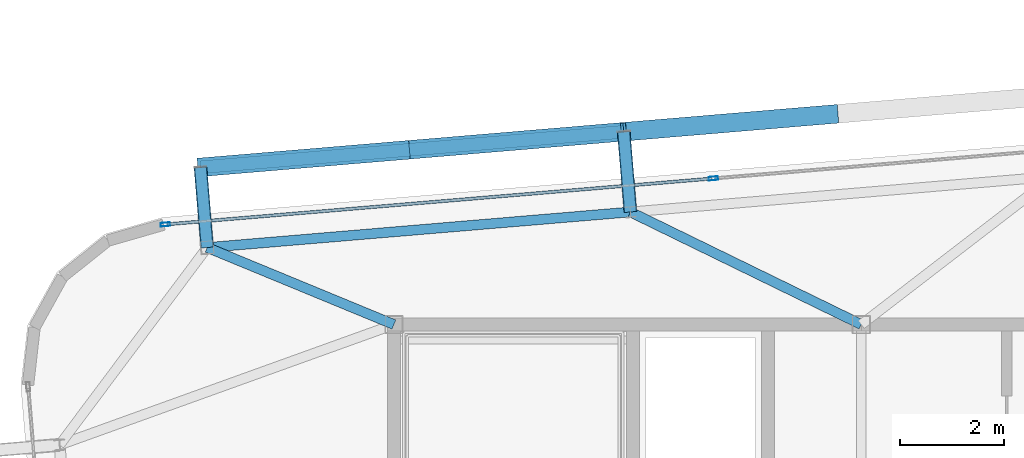
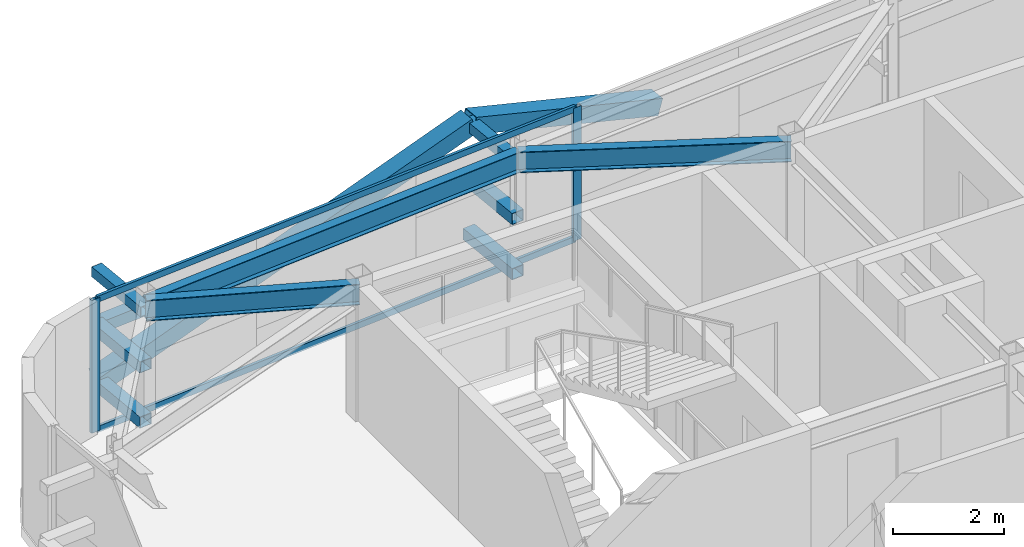
# One storey, part 21 of 39: 14 members, 3 beams, 1 element without a shape of its own.
"""IFC4 building model written with IfcOpenShell, lengths in metres."""

from ifc_helpers import new_model, si_unit, direction, frame, origin, origin_2d, place, context, subcontext, project, spatial, hollow_rectangle, i_section, extrude, source, transform, mapped, material, layer, layer_set, material_profile, profile_set, type_object, element, aggregate, save


model = new_model("IFC4")

# Units and contexts
model_context = context("Model", 3, precision=1e-05, world=origin(), true_north=direction((0.0, 1.0)))
body_context = subcontext(model_context, "Body", "Model", "MODEL_VIEW")
ifc_project = project(units=[si_unit("LENGTHUNIT", "METRE"), si_unit("AREAUNIT", "SQUARE_METRE"), si_unit("VOLUMEUNIT", "CUBIC_METRE"), si_unit("PLANEANGLEUNIT", "RADIAN"), si_unit("MASSUNIT", "GRAM", prefix="KILO")], contexts=[model_context])

# Site, building, storey
site_placement = place(None, origin())
site = spatial("IfcSite", under=ifc_project, at=site_placement, CompositionType="ELEMENT")
building_placement = place(site_placement, origin())
building = spatial("IfcBuilding", under=site, at=building_placement, Name="Taldren Reach Tower", CompositionType="ELEMENT")
storey_placement = place(building_placement, frame((0.0, 0.0, 197.75)))
storey = spatial("IfcBuildingStorey", under=building, at=storey_placement, Name="L60", CompositionType="ELEMENT", Elevation=197.75)

# Members
ifc_material_1 = material(Name="Steel Gr 350 (C350L0)", Category="steel")
ifc_material_profile_1 = material_profile(ifc_material_1, hollow_rectangle(XDim=0.25, YDim=0.25, WallThickness=0.010009765625, at=origin_2d()), Name="250x250x10.0SHS")
ifc_profile_set_1 = profile_set([ifc_material_profile_1], Name="Steel Gr 350 (C350L0)")
member_type_1 = type_object("IfcMemberType", Name="MB-POST250", PredefinedType="POST", material=ifc_profile_set_1)
shared_shape_1 = source(origin(), body_context, "Body", "SweptSolid", [
    extrude(hollow_rectangle(XDim=0.25, YDim=0.25, WallThickness=0.010009765625, at=origin_2d()), origin(), (0.0, 0.0, 1.0), 1.5498046875),
])
for number, where, z_axis, x_axis, name in (
    (1, (15.40380859375, 33.483642578125, 0.219970703125), (-0.083645141657, 0.996495604746, 0.0), (-0.996495604746, -0.083645141657, 0.0), "Exoskeleton base diaphragm tie strut B4-N1 L60"),
    (2, (15.40380859375, 33.483642578125, 1.43505859375), (-0.083645141657, 0.996495604746, 0.0), (-0.996495604746, -0.083645141657, 0.0), "Exoskeleton mid-tier diaphragm tie B4-N1 L60"),
):
    element("IfcMember", number, at=place(storey_placement, frame(where, z_axis=z_axis, x_axis=x_axis)), inside=storey, type_object=member_type_1, Name=name, PredefinedType="POST", context=body_context, shape_type="MappedRepresentation", body=[
        mapped(shared_shape_1, transform((0.0, 0.0, 0.0), scale=1.0)),
    ])
shared_shape_2 = source(origin(), body_context, "Body", "SweptSolid", [
    extrude(hollow_rectangle(XDim=0.25, YDim=0.25, WallThickness=0.010009765625, at=origin_2d()), origin(), (0.0, 0.0, 1.0), 1.550048828125),
])
for number, where, z_axis, x_axis, name in (
    (3, (23.55517578125, 34.16796875, 0.219970703125), (-0.083788408178, 0.996483568683, 0.0), (-0.996483568683, -0.083788408178, 0.0), "Exoskeleton base diaphragm tie strut B4-N2 L60"),
    (4, (23.55517578125, 34.16796875, 1.43505859375), (-0.083788408178, 0.996483568683, 0.0), (-0.996483568683, -0.083788408178, 0.0), "Exoskeleton mid-tier diaphragm tie B4-N2 L60"),
):
    element("IfcMember", number, at=place(storey_placement, frame(where, z_axis=z_axis, x_axis=x_axis)), inside=storey, type_object=member_type_1, Name=name, PredefinedType="POST", context=body_context, shape_type="MappedRepresentation", body=[
        mapped(shared_shape_2, transform((0.0, 0.0, 0.0), scale=1.0)),
    ])

# Beams
ifc_material_2 = material(Name="Steel Gr 350 (350PLUS)", Category="steel")
ifc_material_profile_2 = material_profile(ifc_material_2, i_section(OverallWidth=0.18994140625, OverallDepth=0.4541015625, WebThickness=0.008544921875, FlangeThickness=0.0126953125, at=origin_2d()), Name="460UB67.1")
ifc_profile_set_2 = profile_set([ifc_material_profile_2], Name="Steel Gr 350 (350PLUS)")
beam_type_1 = type_object("IfcBeamType", Name="SP-UB460B", PredefinedType="SPANDREL", material=ifc_profile_set_2)
shared_shape_3 = source(origin(), body_context, "Body", "SweptSolid", [
    extrude(i_section(OverallWidth=0.18994140625, OverallDepth=0.4541015625, WebThickness=0.008544921875, FlangeThickness=0.0126953125, at=origin_2d()), origin(), (0.0, 0.0, 1.0), 8.179931640625),
])
beam_1_placement = place(storey_placement, frame((23.55517578125, 34.16796875, 2.702880859375), z_axis=(-0.996494523218, -0.083658025296, 0.0), x_axis=(0.083658025296, -0.996494523218, 0.0)))
element("IfcBeam", 5, at=beam_1_placement, inside=storey, type_object=beam_type_1, Name="Perimeter spandrel B4 N2-N1 L60", PredefinedType="SPANDREL", context=body_context, shape_type="MappedRepresentation", body=[
    mapped(shared_shape_3, transform((0.0, 0.0, 0.0), scale=1.0)),
])
ifc_material_profile_3 = material_profile(ifc_material_2, i_section(OverallWidth=0.19091796875, OverallDepth=0.4599609375, WebThickness=0.010009765625, FlangeThickness=0.01611328125, at=origin_2d()), Name="460UB82.1")
ifc_profile_set_3 = profile_set([ifc_material_profile_3], Name="Steel Gr 350 (350PLUS)")
beam_type_2 = type_object("IfcBeamType", Name="BM-UB460A", PredefinedType="BEAM", material=ifc_profile_set_3)
shared_shape_4 = source(origin(), body_context, "Body", "SweptSolid", [
    extrude(i_section(OverallWidth=0.19091796875, OverallDepth=0.4599609375, WebThickness=0.010009765625, FlangeThickness=0.01611328125, at=origin_2d()), origin(), (0.0, 0.0, 1.0), 4.9453125),
])
beam_2_placement = place(storey_placement, frame((28.0, 32.0, 2.699951171875), z_axis=(-0.898787423235, 0.438384725823, 0.0), x_axis=(-0.438384725823, -0.898787423235, 0.0)))
element("IfcBeam", 6, at=beam_2_placement, inside=storey, type_object=beam_type_2, Name="Primary floor girder B4-N2 L60", PredefinedType="BEAM", context=body_context, shape_type="MappedRepresentation", body=[
    mapped(shared_shape_4, transform((0.0, 0.0, 0.0), scale=1.0)),
])
shared_shape_5 = source(origin(), body_context, "Body", "SweptSolid", [
    extrude(i_section(OverallWidth=0.19091796875, OverallDepth=0.4599609375, WebThickness=0.010009765625, FlangeThickness=0.01611328125, at=origin_2d()), origin(), (0.0, 0.0, 1.0), 3.89013671875),
])
beam_3_placement = place(storey_placement, frame((19.0, 32.0, 2.699951171875), z_axis=(-0.924419242179, 0.381377850287, 0.0), x_axis=(-0.381377850287, -0.924419242179, 0.0)))
element("IfcBeam", 7, at=beam_3_placement, inside=storey, type_object=beam_type_2, Name="Primary floor girder B4-N1 L60", PredefinedType="BEAM", context=body_context, shape_type="MappedRepresentation", body=[
    mapped(shared_shape_5, transform((0.0, 0.0, 0.0), scale=1.0)),
])

# Members
ifc_material_3 = material(Name="Steel Gr 450 (C450L0)", Category="steel")
ifc_material_profile_4 = material_profile(ifc_material_3, hollow_rectangle(XDim=0.219970703125, YDim=0.219970703125, WallThickness=0.00830078125, at=origin_2d()), Name="220x220x8.2SHS")
ifc_profile_set_4 = profile_set([ifc_material_profile_4], Name="Steel Gr 450 (C450L0)")
member_type_2 = type_object("IfcMemberType", Name="MB-TIE219", PredefinedType="STRUT", material=ifc_profile_set_4)
shared_shape_6 = source(origin(), body_context, "Body", "SweptSolid", [
    extrude(hollow_rectangle(XDim=0.219970703125, YDim=0.219970703125, WallThickness=0.00830078125, at=origin_2d()), origin(), (0.0, 0.0, 1.0), 1.5498046875),
])
member_1_placement = place(storey_placement, frame((15.40380859375, 33.483642578125, 2.64990234375), z_axis=(-0.083645141657, 0.996495604746, 0.0), x_axis=(-0.996495604746, -0.083645141657, 0.0)))
element("IfcMember", 8, at=member_1_placement, inside=storey, type_object=member_type_2, Name="Exoskeleton diaphragm tie strut B4-N1 L60", PredefinedType="STRUT", context=body_context, shape_type="MappedRepresentation", body=[
    mapped(shared_shape_6, transform((0.0, 0.0, 0.0), scale=1.0)),
])
shared_shape_7 = source(origin(), body_context, "Body", "SweptSolid", [
    extrude(hollow_rectangle(XDim=0.219970703125, YDim=0.219970703125, WallThickness=0.00830078125, at=origin_2d()), origin(), (0.0, 0.0, 1.0), 1.550048828125),
])
member_2_placement = place(storey_placement, frame((23.55517578125, 34.16796875, 2.64990234375), z_axis=(-0.083788408178, 0.996483568683, 0.0), x_axis=(-0.996483568683, -0.083788408178, 0.0)))
element("IfcMember", 9, at=member_2_placement, inside=storey, type_object=member_type_2, Name="Exoskeleton diaphragm tie strut B4-N2 L60", PredefinedType="STRUT", context=body_context, shape_type="MappedRepresentation", body=[
    mapped(shared_shape_7, transform((0.0, 0.0, 0.0), scale=1.0)),
])
shared_shape_8 = source(origin(), body_context, "Body", "SweptSolid", [
    extrude(hollow_rectangle(XDim=0.25, YDim=0.25, WallThickness=0.010009765625, at=origin_2d()), origin(), (0.0, 0.0, 1.0), 8.179931640625),
])
member_3_placement = place(storey_placement, frame((15.274169921875, 35.028076171875, 1.43505859375), z_axis=(0.99649182565, 0.08369015123, 0.0), x_axis=(-0.08369015123, 0.99649182565, 0.0)))
element("IfcMember", 10, at=member_3_placement, inside=storey, type_object=member_type_1, Name="Exoskeleton mid-height ring chord B4-N1 L60", PredefinedType="POST", context=body_context, shape_type="MappedRepresentation", body=[
    mapped(shared_shape_8, transform((0.0, 0.0, 0.0), scale=1.0)),
])
ifc_material_profile_5 = material_profile(ifc_material_3, hollow_rectangle(XDim=0.360107421875, YDim=0.360107421875, WallThickness=0.0126953125, at=origin_2d()), Name="360x360x12.7SHS")
ifc_profile_set_5 = profile_set([ifc_material_profile_5], Name="Steel Gr 450 (C450L0)")
member_type_3 = type_object("IfcMemberType", Name="MB-EXO356", PredefinedType="BRACE", material=ifc_profile_set_5)
shared_shape_9 = source(origin(), body_context, "Body", "SweptSolid", [
    extrude(hollow_rectangle(XDim=0.360107421875, YDim=0.360107421875, WallThickness=0.0126953125, at=origin_2d()), origin(), (0.0, 0.0, 1.0), 4.2666015625),
])
for number, where, z_axis, x_axis, name in (
    (11, (15.274169921875, 35.028076171875, 0.219970703125), (0.955229159097, 0.080222312271, 0.284783486572), (-0.083687662192, 0.996492034688, 0.0), "Exoskeleton Diagrid Brace B4-N1 L60"),
    (12, (27.5009765625, 36.054931640625, 1.43505859375), (-0.955244723646, -0.080223619417, 0.284730906006), (0.083687662192, -0.996492034688, 0.0), "Exoskeleton Diagrid Brace B4-N2 L60"),
):
    element("IfcMember", number, at=place(storey_placement, frame(where, z_axis=z_axis, x_axis=x_axis)), inside=storey, type_object=member_type_3, Name=name, PredefinedType="BRACE", context=body_context, shape_type="MappedRepresentation", body=[
        mapped(shared_shape_9, transform((0.0, 0.0, 0.0), scale=1.0)),
    ])
shared_shape_10 = source(origin(), body_context, "Body", "SweptSolid", [
    extrude(hollow_rectangle(XDim=0.360107421875, YDim=0.360107421875, WallThickness=0.0126953125, at=origin_2d()), origin(), (0.0, 0.0, 1.0), 4.266357421875),
])
member_4_placement = place(storey_placement, frame((19.349853515625, 35.370361328125, 1.43505859375), z_axis=(0.955239715981, 0.080228004661, 0.28474647018), x_axis=(-0.083692640416, 0.996491616593, 0.0)))
element("IfcMember", 13, at=member_4_placement, inside=storey, type_object=member_type_3, Name="Exoskeleton Diagrid Brace B4-N1 L60", PredefinedType="BRACE", context=body_context, shape_type="MappedRepresentation", body=[
    mapped(shared_shape_10, transform((0.0, 0.0, 0.0), scale=1.0)),
])

# Curtain wall, members
ifc_material_4 = material(Name="Aluminium and Low-E Glass Unitised System", Category="aluminium")
ifc_layer = layer(ifc_material_4, 0.159912109375)
ifc_layer_set = layer_set([ifc_layer], Name="Aluminium and Low-E Glass Unitised System")
curtain_wall_type = type_object("IfcCurtainWallType", Name="CW-SYS-5", PredefinedType="NOTDEFINED", material=ifc_layer_set)
curtain_wall_placement = place(storey_placement, origin())
curtain_wall = element("IfcCurtainWall", 14, at=curtain_wall_placement, inside=storey, type_object=curtain_wall_type, Name="Unitised curtain wall CW-L60-N", PredefinedType="NOTDEFINED")
ifc_material_5 = material(Name="Anodised Aluminium 6063-T6", Category="aluminium")
ifc_material_profile_6 = material_profile(ifc_material_5, hollow_rectangle(XDim=0.070068359375, YDim=0.179931640625, WallThickness=0.00390625, at=origin_2d()), Name="ALU-180x70x4RHS")
ifc_profile_set_6 = profile_set([ifc_material_profile_6], Name="Anodised Aluminium 6063-T6")
member_type_4 = type_object("IfcMemberType", Name="CW-MUL-180", PredefinedType="MULLION", material=ifc_profile_set_6)
shared_shape_11 = source(origin(), body_context, "Body", "SweptSolid", [
    extrude(hollow_rectangle(XDim=0.070068359375, YDim=0.179931640625, WallThickness=0.00390625, at=origin_2d()), origin(), (0.0, 0.0, 1.0), 2.929931640625),
])
member_5_placement = place(storey_placement, frame((25.151611328125, 34.81396484375, 0.0), z_axis=(0.0, 0.0, 1.0), x_axis=(0.083677875247, -0.99649285657, 0.0)))
member_5 = element("IfcMember", 15, at=member_5_placement, type_object=member_type_4, Name="CW-5 mullion 4", PredefinedType="MULLION", context=body_context, shape_type="MappedRepresentation", body=[
    mapped(shared_shape_11, transform((0.0, 0.0, 0.0), scale=1.0)),
])
member_6_placement = place(storey_placement, frame((14.598876953125, 33.927734375, 0.0), z_axis=(0.0, 0.0, 1.0), x_axis=(0.083677875247, -0.99649285657, 0.0)))
member_6 = element("IfcMember", 16, at=member_6_placement, type_object=member_type_4, Name="CW-5 mullion 5", PredefinedType="MULLION", context=body_context, shape_type="MappedRepresentation", body=[
    mapped(shared_shape_11, transform((0.0, 0.0, 0.0), scale=1.0)),
])
ifc_material_profile_7 = material_profile(ifc_material_5, hollow_rectangle(XDim=0.06005859375, YDim=0.135009765625, WallThickness=0.00341796875, at=origin_2d()), Name="ALU-135x60x3.5RHS")
ifc_profile_set_7 = profile_set([ifc_material_profile_7], Name="Anodised Aluminium 6063-T6")
member_type_5 = type_object("IfcMemberType", Name="CW-TRN-150", PredefinedType="USERDEFINED", material=ifc_profile_set_7)
shared_shape_12 = source(origin(), body_context, "Body", "SweptSolid", [
    extrude(hollow_rectangle(XDim=0.06005859375, YDim=0.135009765625, WallThickness=0.00341796875, at=origin_2d()), origin(), (0.0, 0.0, 1.0), 10.519775390625),
])
member_7_placement = place(storey_placement, frame((25.11669921875, 34.81103515625, 0.030029296875), z_axis=(-0.996492094046, -0.083686955404, 0.0), x_axis=(0.083686955404, -0.996492094046, 0.0)))
member_7 = element("IfcMember", 17, at=member_7_placement, type_object=member_type_5, Name="CW-5 transom 4.1", ObjectType="TRANSOM", PredefinedType="USERDEFINED", context=body_context, shape_type="MappedRepresentation", body=[
    mapped(shared_shape_12, transform((0.0, 0.0, 0.0), scale=1.0)),
])
member_8_placement = place(storey_placement, frame((25.11669921875, 34.81103515625, 2.89990234375), z_axis=(-0.996492094046, -0.083686955404, 0.0), x_axis=(0.083686955404, -0.996492094046, 0.0)))
member_8 = element("IfcMember", 18, at=member_8_placement, type_object=member_type_5, Name="CW-5 transom 4.2", ObjectType="TRANSOM", PredefinedType="USERDEFINED", context=body_context, shape_type="MappedRepresentation", body=[
    mapped(shared_shape_12, transform((0.0, 0.0, 0.0), scale=1.0)),
])
aggregate(curtain_wall, [member_5, member_6, member_7, member_8])

save(model, "model.ifc")
